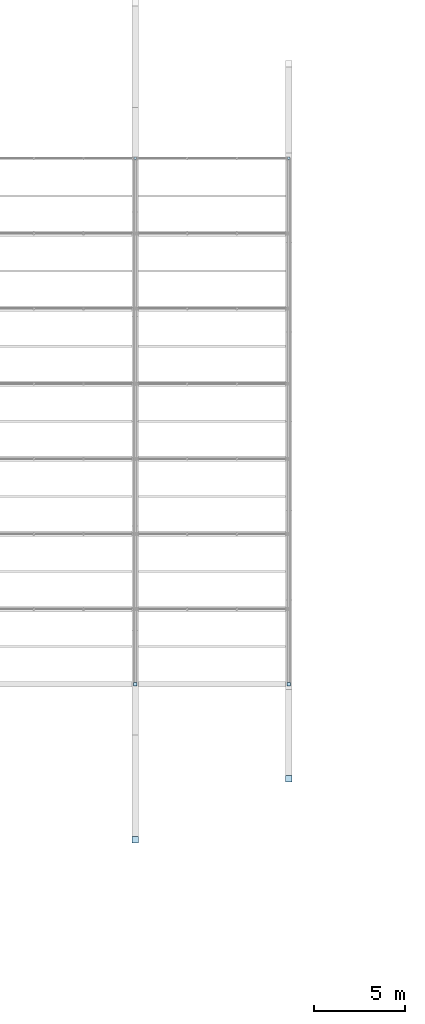
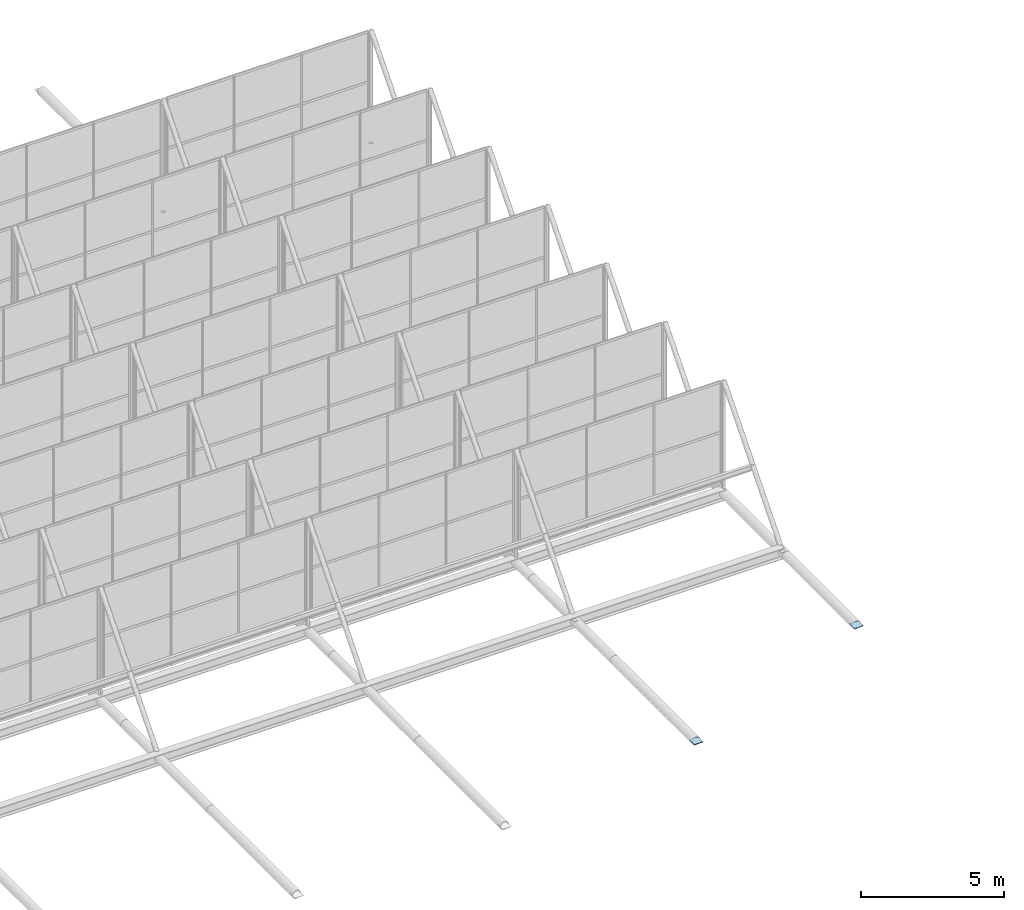
# One storey, part 71 of 77: 6 plates.
"""IFC4 building model written with IfcOpenShell, lengths in metres."""

from ifc_helpers import new_model, si_unit, derived_unit, direction, frame, origin, origin_2d, place, context, subcontext, project, spatial, rectangle, extrude, material, layer, layer_set, type_object, element, save


model = new_model("IFC4")

# Units and contexts
model_context = context("Model", 3, precision=1e-05, world=origin(), true_north=direction((0.0, 1.0)))
body_context = subcontext(model_context, "Body", "Model", "MODEL_VIEW")
ifc_project = project(units=[si_unit("LENGTHUNIT", "METRE"), si_unit("AREAUNIT", "SQUARE_METRE"), si_unit("VOLUMEUNIT", "CUBIC_METRE"), si_unit("PLANEANGLEUNIT", "RADIAN"), si_unit("MASSUNIT", "GRAM", prefix="KILO"), derived_unit("THERMALTRANSMITTANCEUNIT", [(si_unit("MASSUNIT", "GRAM", prefix="KILO"), 1), (si_unit("TIMEUNIT", "SECOND"), -3), (si_unit("THERMODYNAMICTEMPERATUREUNIT", "KELVIN"), -1)])], contexts=[model_context])

# Site, building, storey
site_placement = place(None, origin())
site = spatial("IfcSite", under=ifc_project, at=site_placement, CompositionType="ELEMENT")
building_placement = place(site_placement, origin())
building = spatial("IfcBuilding", under=site, at=building_placement, Name="Kharveza Railside Sports Centre", CompositionType="ELEMENT")
storey_placement = place(building_placement, frame((0.0, 0.0, 17.10009765625)))
storey = spatial("IfcBuildingStorey", under=building, at=storey_placement, Name="L04", CompositionType="ELEMENT", Elevation=17.10009765625)

# Plates
ifc_material = material(Name="Steel S355J2", Category="steel")
ifc_layer_1 = layer(ifc_material, 0.02001953125, Name="Steel S355J2")
ifc_layer_set_1 = layer_set([ifc_layer_1], Name="Steel S355J2")
plate_type_1 = type_object("IfcPlateType", Name="PL-EC02", PredefinedType="USERDEFINED", material=ifc_layer_set_1)
for number, where, z_axis, x_axis, name in (
    (1, (67.199951171875, 27.484619140625, -1.06005859375), (0.0, 0.0, 1.0), (1.0, 0.0, 0.0), "PLT-EC-094"),
    (2, (75.60009765625, 30.8134765625, -1.06005859375), (0.0, 0.0, 1.0), (1.0, 0.0, 0.0), "PLT-EC-096"),
):
    element("IfcPlate", number, at=place(storey_placement, frame(where, z_axis=z_axis, x_axis=x_axis)), inside=storey, type_object=plate_type_1, Name=name, ObjectType="END_CAP_PLATE", PredefinedType="USERDEFINED", context=body_context, shape_type="SweptSolid", body=[
        extrude(rectangle(XDim=0.35595703125, YDim=0.35595703125, at=origin_2d()), origin(), (0.0, 0.0, 1.0), 0.02001953125),
    ])
ifc_layer_2 = layer(ifc_material, 0.02001953125, Name="Steel S355J2")
ifc_layer_set_2 = layer_set([ifc_layer_2], Name="Steel S355J2")
plate_type_2 = type_object("IfcPlateType", Name="PL-EC09", PredefinedType="USERDEFINED", material=ifc_layer_set_2)
for number, where, z_axis, x_axis, name in (
    (3, (67.199951171875, 36.0, -1.06005859375), (0.0, 0.0, 1.0), (1.0, 0.0, 0.0), "PLT-EC-102"),
    (4, (75.60009765625, 36.0, -1.06005859375), (0.0, 0.0, 1.0), (1.0, 0.0, 0.0), "PLT-EC-103"),
):
    element("IfcPlate", number, at=place(storey_placement, frame(where, z_axis=z_axis, x_axis=x_axis)), inside=storey, type_object=plate_type_2, Name=name, ObjectType="END_CAP_PLATE", PredefinedType="USERDEFINED", context=body_context, shape_type="SweptSolid", body=[
        extrude(rectangle(XDim=0.194091796875, YDim=0.194091796875, at=origin_2d()), origin(), (0.0, 0.0, 1.0), 0.02001953125),
    ])
ifc_layer_3 = layer(ifc_material, 0.02001953125, Name="Steel S355J2")
ifc_layer_set_3 = layer_set([ifc_layer_3], Name="Steel S355J2")
plate_type_3 = type_object("IfcPlateType", Name="PL-EC12", PredefinedType="USERDEFINED", material=ifc_layer_set_3)
for number, where, z_axis, x_axis, name in (
    (5, (67.199951171875, 64.800048828125, -1.06005859375), (0.0, 0.0, 1.0), (1.0, 0.0, 0.0), "PLT-EC-108"),
    (6, (75.60009765625, 64.800048828125, -1.06005859375), (0.0, 0.0, 1.0), (1.0, 0.0, 0.0), "PLT-EC-109"),
):
    element("IfcPlate", number, at=place(storey_placement, frame(where, z_axis=z_axis, x_axis=x_axis)), inside=storey, type_object=plate_type_3, Name=name, ObjectType="END_CAP_PLATE", PredefinedType="USERDEFINED", context=body_context, shape_type="SweptSolid", body=[
        extrude(rectangle(XDim=0.139892578125, YDim=0.139892578125, at=origin_2d()), origin(), (0.0, 0.0, 1.0), 0.02001953125),
    ])

save(model, "model.ifc")
